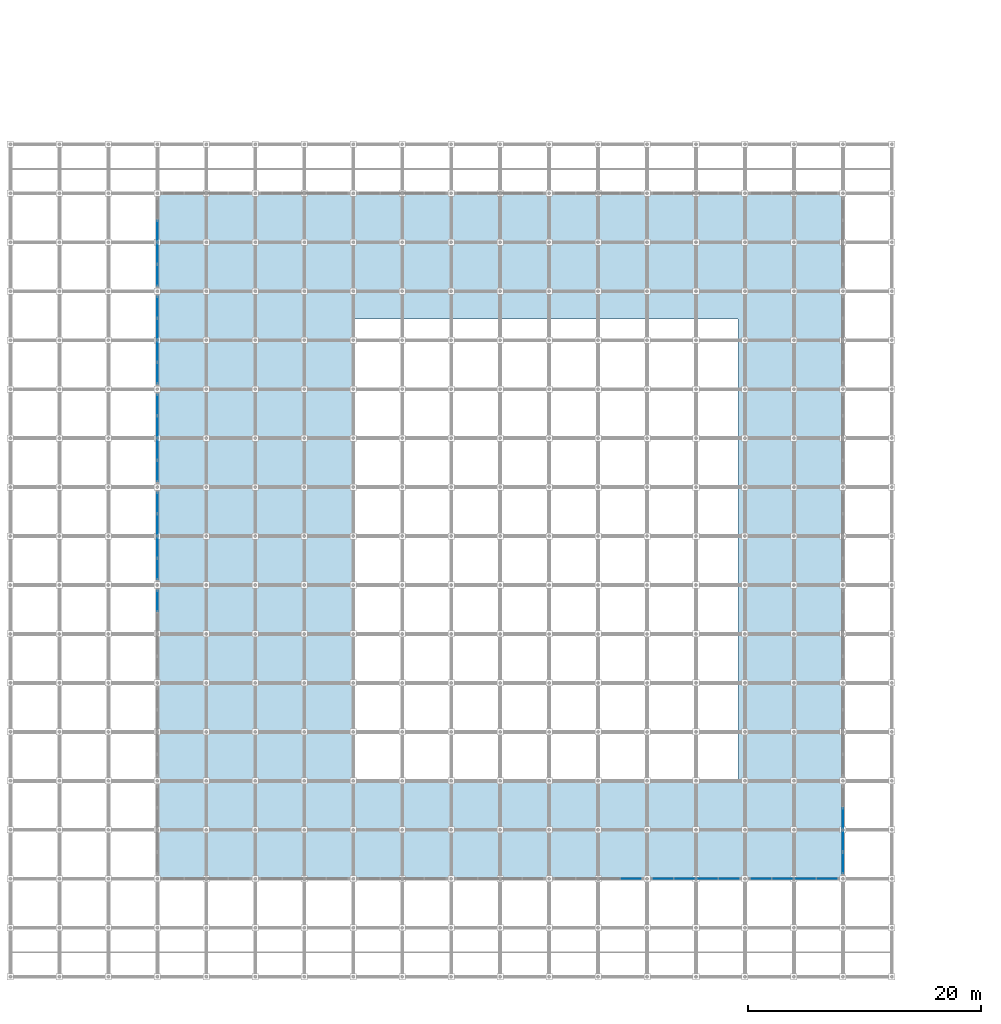
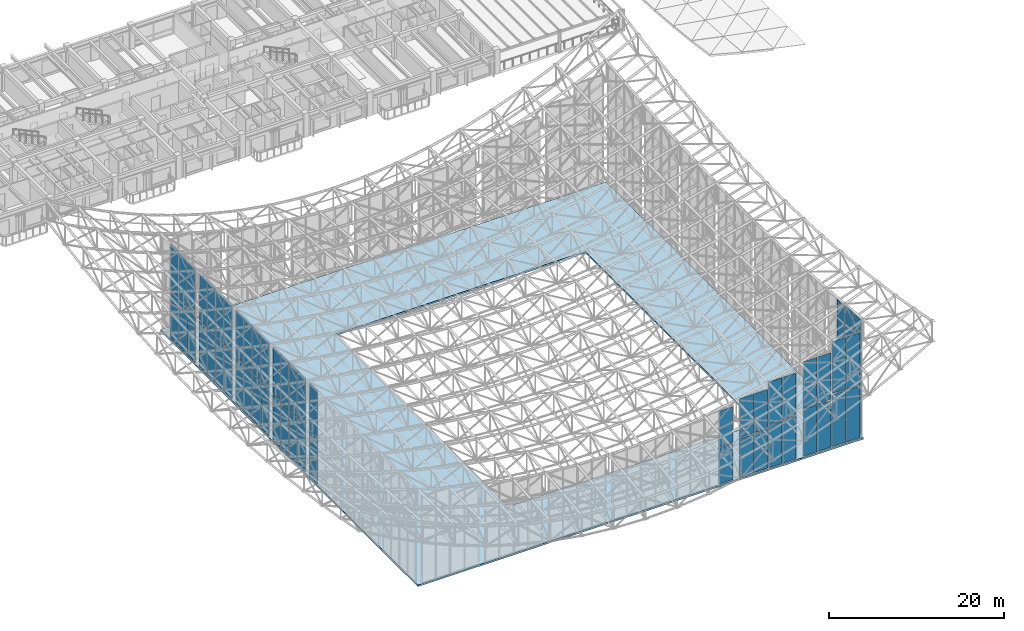
# One storey, part 60 of 93: 56 plates, 1 slab, 16 elements without a shape of their own.
"""IFC4 building model written with IfcOpenShell, lengths in metres."""

from ifc_helpers import new_model, si_unit, direction, frame, origin, origin_2d, place, context, subcontext, project, spatial, polyline, rectangle, outline, extrude, material, layer, layer_set, type_object, element, aggregate, save


model = new_model("IFC4")

# Units and contexts
model_context = context("Model", 3, precision=1e-05, world=origin(), true_north=direction((0.0, 1.0)))
body_context = subcontext(model_context, "Body", "Model", "MODEL_VIEW")
ifc_project = project(units=[si_unit("LENGTHUNIT", "METRE"), si_unit("AREAUNIT", "SQUARE_METRE"), si_unit("VOLUMEUNIT", "CUBIC_METRE"), si_unit("PLANEANGLEUNIT", "RADIAN"), si_unit("MASSUNIT", "GRAM", prefix="KILO")], contexts=[model_context])

# Site, building, storey
site_placement = place(None, origin())
site = spatial("IfcSite", under=ifc_project, at=site_placement, CompositionType="ELEMENT")
building_placement = place(site_placement, origin())
building = spatial("IfcBuilding", under=site, at=building_placement, Name="Cumbredor Promenade Congress Hotel", CompositionType="ELEMENT")
storey_placement = place(building_placement, frame((0.0, 0.0, 21.840087890625)))
storey = spatial("IfcBuildingStorey", under=building, at=storey_placement, Name="L06", CompositionType="ELEMENT", Elevation=21.840087890625)

# Curtain wall, plates
ifc_material_1 = material(Name="Thermally broken anodized aluminium and low-E glass", Category="aluminium")
curtain_wall_type = type_object("IfcCurtainWallType", Name="Stepped Pavilion Clerestory Curtain Wall CW-06", PredefinedType="NOTDEFINED", material=ifc_material_1)
curtain_wall_1_placement = place(storey_placement, origin())
curtain_wall_1 = element("IfcCurtainWall", 1, at=curtain_wall_1_placement, inside=storey, type_object=curtain_wall_type, Name="Plenary Congress Hall S Glazed Clerestory 10", PredefinedType="NOTDEFINED")
ifc_material_2 = material(Name="Laminated low-E solar-control glass", Category="glass")
ifc_layer_1 = layer(ifc_material_2, 0.031982421875, Name="Laminated low-E solar-control glass", Category="glass")
ifc_layer_set_1 = layer_set([ifc_layer_1], Name="Laminated low-E solar-control glass")
plate_type = type_object("IfcPlateType", Name="Clerestory Glazed Vision Panel PNL-07", PredefinedType="CURTAIN_PANEL", material=ifc_layer_set_1)
plate_1_placement = place(storey_placement, frame((49.030029296875, 8.39990234375, 0.169921875), z_axis=(0.0, 0.0, 1.0), x_axis=(1.0, 0.0, 0.0)))
plate_1 = element("IfcPlate", 2, at=plate_1_placement, type_object=plate_type, Name="Plenary Congress Hall S Glazed Clerestory 10 Glazing Panel 2.1", PredefinedType="CURTAIN_PANEL", context=body_context, shape_type="SweptSolid", body=[
    extrude(rectangle(XDim=1.77490234375, YDim=0.031982421875, at=origin_2d()), origin(), (0.0, 0.0, 1.0), 5.0),
])
plate_2_placement = place(storey_placement, frame((49.030029296875, 8.39990234375, 5.35009765625), z_axis=(0.0, 0.0, 1.0), x_axis=(1.0, 0.0, 0.0)))
plate_2 = element("IfcPlate", 3, at=plate_2_placement, type_object=plate_type, Name="Plenary Congress Hall S Glazed Clerestory 10 Glazing Panel 2.2", PredefinedType="CURTAIN_PANEL", context=body_context, shape_type="SweptSolid", body=[
    extrude(rectangle(XDim=1.77490234375, YDim=0.031982421875, at=origin_2d()), origin(), (0.0, 0.0, 1.0), 4.989990234375),
])
aggregate(curtain_wall_1, [plate_1, plate_2])

curtain_wall_2_placement = place(storey_placement, origin())
curtain_wall_2 = element("IfcCurtainWall", 4, at=curtain_wall_2_placement, inside=storey, type_object=curtain_wall_type, Name="Plenary Congress Hall S Glazed Clerestory 11", PredefinedType="NOTDEFINED")
plate_3_placement = place(storey_placement, frame((51.77001953125, 8.39990234375, 0.169921875), z_axis=(0.0, 0.0, 1.0), x_axis=(1.0, 0.0, 0.0)))
plate_3 = element("IfcPlate", 5, at=plate_3_placement, type_object=plate_type, Name="Plenary Congress Hall S Glazed Clerestory 11 Glazing Panel 1.1", PredefinedType="CURTAIN_PANEL", context=body_context, shape_type="SweptSolid", body=[
    extrude(rectangle(XDim=1.77490234375, YDim=0.031982421875, at=origin_2d()), origin(), (0.0, 0.0, 1.0), 5.3798828125),
])
plate_4_placement = place(storey_placement, frame((51.77001953125, 8.39990234375, 5.72998046875), z_axis=(0.0, 0.0, 1.0), x_axis=(1.0, 0.0, 0.0)))
plate_4 = element("IfcPlate", 6, at=plate_4_placement, type_object=plate_type, Name="Plenary Congress Hall S Glazed Clerestory 11 Glazing Panel 1.2", PredefinedType="CURTAIN_PANEL", context=body_context, shape_type="SweptSolid", body=[
    extrude(rectangle(XDim=1.77490234375, YDim=0.031982421875, at=origin_2d()), origin(), (0.0, 0.0, 1.0), 5.389892578125),
])
plate_5_placement = place(storey_placement, frame((53.6298828125, 8.39990234375, 0.169921875), z_axis=(0.0, 0.0, 1.0), x_axis=(1.0, 0.0, 0.0)))
plate_5 = element("IfcPlate", 7, at=plate_5_placement, type_object=plate_type, Name="Plenary Congress Hall S Glazed Clerestory 11 Glazing Panel 2.1", PredefinedType="CURTAIN_PANEL", context=body_context, shape_type="SweptSolid", body=[
    extrude(rectangle(XDim=1.77490234375, YDim=0.031982421875, at=origin_2d()), origin(), (0.0, 0.0, 1.0), 5.3798828125),
])
plate_6_placement = place(storey_placement, frame((53.6298828125, 8.39990234375, 5.72998046875), z_axis=(0.0, 0.0, 1.0), x_axis=(1.0, 0.0, 0.0)))
plate_6 = element("IfcPlate", 8, at=plate_6_placement, type_object=plate_type, Name="Plenary Congress Hall S Glazed Clerestory 11 Glazing Panel 2.2", PredefinedType="CURTAIN_PANEL", context=body_context, shape_type="SweptSolid", body=[
    extrude(rectangle(XDim=1.77490234375, YDim=0.031982421875, at=origin_2d()), origin(), (0.0, 0.0, 1.0), 5.389892578125),
])
aggregate(curtain_wall_2, [plate_3, plate_4, plate_5, plate_6])

curtain_wall_3_placement = place(storey_placement, origin())
curtain_wall_3 = element("IfcCurtainWall", 9, at=curtain_wall_3_placement, inside=storey, type_object=curtain_wall_type, Name="Plenary Congress Hall S Glazed Clerestory 12", PredefinedType="NOTDEFINED")
plate_7_placement = place(storey_placement, frame((55.570068359375, 8.39990234375, 0.169921875), z_axis=(0.0, 0.0, 1.0), x_axis=(1.0, 0.0, 0.0)))
plate_7 = element("IfcPlate", 10, at=plate_7_placement, type_object=plate_type, Name="Plenary Congress Hall S Glazed Clerestory 12 Glazing Panel 1.1", PredefinedType="CURTAIN_PANEL", context=body_context, shape_type="SweptSolid", body=[
    extrude(rectangle(XDim=1.77490234375, YDim=0.031982421875, at=origin_2d()), origin(), (0.0, 0.0, 1.0), 5.8798828125),
])
plate_8_placement = place(storey_placement, frame((55.570068359375, 8.39990234375, 6.22998046875), z_axis=(0.0, 0.0, 1.0), x_axis=(1.0, 0.0, 0.0)))
plate_8 = element("IfcPlate", 11, at=plate_8_placement, type_object=plate_type, Name="Plenary Congress Hall S Glazed Clerestory 12 Glazing Panel 1.2", PredefinedType="CURTAIN_PANEL", context=body_context, shape_type="SweptSolid", body=[
    extrude(rectangle(XDim=1.77490234375, YDim=0.031982421875, at=origin_2d()), origin(), (0.0, 0.0, 1.0), 5.889892578125),
])
plate_9_placement = place(storey_placement, frame((57.429931640625, 8.39990234375, 0.169921875), z_axis=(0.0, 0.0, 1.0), x_axis=(1.0, 0.0, 0.0)))
plate_9 = element("IfcPlate", 12, at=plate_9_placement, type_object=plate_type, Name="Plenary Congress Hall S Glazed Clerestory 12 Glazing Panel 2.1", PredefinedType="CURTAIN_PANEL", context=body_context, shape_type="SweptSolid", body=[
    extrude(rectangle(XDim=1.77490234375, YDim=0.031982421875, at=origin_2d()), origin(), (0.0, 0.0, 1.0), 5.8798828125),
])
plate_10_placement = place(storey_placement, frame((57.429931640625, 8.39990234375, 6.22998046875), z_axis=(0.0, 0.0, 1.0), x_axis=(1.0, 0.0, 0.0)))
plate_10 = element("IfcPlate", 13, at=plate_10_placement, type_object=plate_type, Name="Plenary Congress Hall S Glazed Clerestory 12 Glazing Panel 2.2", PredefinedType="CURTAIN_PANEL", context=body_context, shape_type="SweptSolid", body=[
    extrude(rectangle(XDim=1.77490234375, YDim=0.031982421875, at=origin_2d()), origin(), (0.0, 0.0, 1.0), 5.889892578125),
])
aggregate(curtain_wall_3, [plate_7, plate_8, plate_9, plate_10])

curtain_wall_4_placement = place(storey_placement, origin())
curtain_wall_4 = element("IfcCurtainWall", 14, at=curtain_wall_4_placement, inside=storey, type_object=curtain_wall_type, Name="Plenary Congress Hall S Glazed Clerestory 13", PredefinedType="NOTDEFINED")
plate_11_placement = place(storey_placement, frame((60.169921875, 8.39990234375, 0.169921875), z_axis=(0.0, 0.0, 1.0), x_axis=(1.0, 0.0, 0.0)))
plate_11 = element("IfcPlate", 15, at=plate_11_placement, type_object=plate_type, Name="Plenary Congress Hall S Glazed Clerestory 13 Glazing Panel 1.1", PredefinedType="CURTAIN_PANEL", context=body_context, shape_type="SweptSolid", body=[
    extrude(rectangle(XDim=1.77490234375, YDim=0.031982421875, at=origin_2d()), origin(), (0.0, 0.0, 1.0), 6.5),
])
plate_12_placement = place(storey_placement, frame((60.169921875, 8.39990234375, 6.849853515625), z_axis=(0.0, 0.0, 1.0), x_axis=(1.0, 0.0, 0.0)))
plate_12 = element("IfcPlate", 16, at=plate_12_placement, type_object=plate_type, Name="Plenary Congress Hall S Glazed Clerestory 13 Glazing Panel 1.2", PredefinedType="CURTAIN_PANEL", context=body_context, shape_type="SweptSolid", body=[
    extrude(rectangle(XDim=1.77490234375, YDim=0.031982421875, at=origin_2d()), origin(), (0.0, 0.0, 1.0), 6.5),
])
plate_13_placement = place(storey_placement, frame((62.030029296875, 8.39990234375, 0.169921875), z_axis=(0.0, 0.0, 1.0), x_axis=(1.0, 0.0, 0.0)))
plate_13 = element("IfcPlate", 17, at=plate_13_placement, type_object=plate_type, Name="Plenary Congress Hall S Glazed Clerestory 13 Glazing Panel 2.1", PredefinedType="CURTAIN_PANEL", context=body_context, shape_type="SweptSolid", body=[
    extrude(rectangle(XDim=1.77490234375, YDim=0.031982421875, at=origin_2d()), origin(), (0.0, 0.0, 1.0), 6.5),
])
plate_14_placement = place(storey_placement, frame((62.030029296875, 8.39990234375, 6.849853515625), z_axis=(0.0, 0.0, 1.0), x_axis=(1.0, 0.0, 0.0)))
plate_14 = element("IfcPlate", 18, at=plate_14_placement, type_object=plate_type, Name="Plenary Congress Hall S Glazed Clerestory 13 Glazing Panel 2.2", PredefinedType="CURTAIN_PANEL", context=body_context, shape_type="SweptSolid", body=[
    extrude(rectangle(XDim=1.77490234375, YDim=0.031982421875, at=origin_2d()), origin(), (0.0, 0.0, 1.0), 6.5),
])
aggregate(curtain_wall_4, [plate_11, plate_12, plate_13, plate_14])

curtain_wall_5_placement = place(storey_placement, origin())
curtain_wall_5 = element("IfcCurtainWall", 19, at=curtain_wall_5_placement, inside=storey, type_object=curtain_wall_type, Name="Plenary Congress Hall S Glazed Clerestory 14", PredefinedType="NOTDEFINED")
plate_15_placement = place(storey_placement, frame((63.969970703125, 8.39990234375, 0.169921875), z_axis=(0.0, 0.0, 1.0), x_axis=(1.0, 0.0, 0.0)))
plate_15 = element("IfcPlate", 20, at=plate_15_placement, type_object=plate_type, Name="Plenary Congress Hall S Glazed Clerestory 14 Glazing Panel 1.1", PredefinedType="CURTAIN_PANEL", context=body_context, shape_type="SweptSolid", body=[
    extrude(rectangle(XDim=1.77490234375, YDim=0.031982421875, at=origin_2d()), origin(), (0.0, 0.0, 1.0), 7.219970703125),
])
plate_16_placement = place(storey_placement, frame((63.969970703125, 8.39990234375, 7.56982421875), z_axis=(0.0, 0.0, 1.0), x_axis=(1.0, 0.0, 0.0)))
plate_16 = element("IfcPlate", 21, at=plate_16_placement, type_object=plate_type, Name="Plenary Congress Hall S Glazed Clerestory 14 Glazing Panel 1.2", PredefinedType="CURTAIN_PANEL", context=body_context, shape_type="SweptSolid", body=[
    extrude(rectangle(XDim=1.77490234375, YDim=0.031982421875, at=origin_2d()), origin(), (0.0, 0.0, 1.0), 7.22998046875),
])
plate_17_placement = place(storey_placement, frame((65.830078125, 8.39990234375, 0.169921875), z_axis=(0.0, 0.0, 1.0), x_axis=(1.0, 0.0, 0.0)))
plate_17 = element("IfcPlate", 22, at=plate_17_placement, type_object=plate_type, Name="Plenary Congress Hall S Glazed Clerestory 14 Glazing Panel 2.1", PredefinedType="CURTAIN_PANEL", context=body_context, shape_type="SweptSolid", body=[
    extrude(rectangle(XDim=1.77490234375, YDim=0.031982421875, at=origin_2d()), origin(), (0.0, 0.0, 1.0), 7.219970703125),
])
plate_18_placement = place(storey_placement, frame((65.830078125, 8.39990234375, 7.56982421875), z_axis=(0.0, 0.0, 1.0), x_axis=(1.0, 0.0, 0.0)))
plate_18 = element("IfcPlate", 23, at=plate_18_placement, type_object=plate_type, Name="Plenary Congress Hall S Glazed Clerestory 14 Glazing Panel 2.2", PredefinedType="CURTAIN_PANEL", context=body_context, shape_type="SweptSolid", body=[
    extrude(rectangle(XDim=1.77490234375, YDim=0.031982421875, at=origin_2d()), origin(), (0.0, 0.0, 1.0), 7.22998046875),
])
aggregate(curtain_wall_5, [plate_15, plate_16, plate_17, plate_18])

curtain_wall_6_placement = place(storey_placement, origin())
curtain_wall_6 = element("IfcCurtainWall", 24, at=curtain_wall_6_placement, inside=storey, type_object=curtain_wall_type, Name="Plenary Congress Hall W Glazed Clerestory 6", PredefinedType="NOTDEFINED")
plate_19_placement = place(storey_placement, frame((8.39990234375, 32.22998046875, 0.169921875), z_axis=(0.0, 0.0, 1.0), x_axis=(0.0, 1.0, 0.0)))
plate_19 = element("IfcPlate", 25, at=plate_19_placement, type_object=plate_type, Name="Plenary Congress Hall W Glazed Clerestory 6 Glazing Panel 2.1", PredefinedType="CURTAIN_PANEL", context=body_context, shape_type="SweptSolid", body=[
    extrude(rectangle(XDim=1.77490234375, YDim=0.031982421875, at=origin_2d()), origin(), (0.0, 0.0, 1.0), 6.419921875),
])
plate_20_placement = place(storey_placement, frame((8.39990234375, 32.22998046875, 6.77001953125), z_axis=(0.0, 0.0, 1.0), x_axis=(0.0, 1.0, 0.0)))
plate_20 = element("IfcPlate", 26, at=plate_20_placement, type_object=plate_type, Name="Plenary Congress Hall W Glazed Clerestory 6 Glazing Panel 2.2", PredefinedType="CURTAIN_PANEL", context=body_context, shape_type="SweptSolid", body=[
    extrude(rectangle(XDim=1.77490234375, YDim=0.031982421875, at=origin_2d()), origin(), (0.0, 0.0, 1.0), 6.409912109375),
])
aggregate(curtain_wall_6, [plate_19, plate_20])

curtain_wall_7_placement = place(storey_placement, origin())
curtain_wall_7 = element("IfcCurtainWall", 27, at=curtain_wall_7_placement, inside=storey, type_object=curtain_wall_type, Name="Plenary Congress Hall W Glazed Clerestory 7", PredefinedType="NOTDEFINED")
plate_21_placement = place(storey_placement, frame((8.39990234375, 34.969970703125, 0.169921875), z_axis=(0.0, 0.0, 1.0), x_axis=(0.0, 1.0, 0.0)))
plate_21 = element("IfcPlate", 28, at=plate_21_placement, type_object=plate_type, Name="Plenary Congress Hall W Glazed Clerestory 7 Glazing Panel 1.1", PredefinedType="CURTAIN_PANEL", context=body_context, shape_type="SweptSolid", body=[
    extrude(rectangle(XDim=1.77490234375, YDim=0.031982421875, at=origin_2d()), origin(), (0.0, 0.0, 1.0), 6.419921875),
])
plate_22_placement = place(storey_placement, frame((8.39990234375, 34.969970703125, 6.77001953125), z_axis=(0.0, 0.0, 1.0), x_axis=(0.0, 1.0, 0.0)))
plate_22 = element("IfcPlate", 29, at=plate_22_placement, type_object=plate_type, Name="Plenary Congress Hall W Glazed Clerestory 7 Glazing Panel 1.2", PredefinedType="CURTAIN_PANEL", context=body_context, shape_type="SweptSolid", body=[
    extrude(rectangle(XDim=1.77490234375, YDim=0.031982421875, at=origin_2d()), origin(), (0.0, 0.0, 1.0), 6.409912109375),
])
plate_23_placement = place(storey_placement, frame((8.39990234375, 36.830078125, 0.169921875), z_axis=(0.0, 0.0, 1.0), x_axis=(0.0, 1.0, 0.0)))
plate_23 = element("IfcPlate", 30, at=plate_23_placement, type_object=plate_type, Name="Plenary Congress Hall W Glazed Clerestory 7 Glazing Panel 2.1", PredefinedType="CURTAIN_PANEL", context=body_context, shape_type="SweptSolid", body=[
    extrude(rectangle(XDim=1.77490234375, YDim=0.031982421875, at=origin_2d()), origin(), (0.0, 0.0, 1.0), 6.419921875),
])
plate_24_placement = place(storey_placement, frame((8.39990234375, 36.830078125, 6.77001953125), z_axis=(0.0, 0.0, 1.0), x_axis=(0.0, 1.0, 0.0)))
plate_24 = element("IfcPlate", 31, at=plate_24_placement, type_object=plate_type, Name="Plenary Congress Hall W Glazed Clerestory 7 Glazing Panel 2.2", PredefinedType="CURTAIN_PANEL", context=body_context, shape_type="SweptSolid", body=[
    extrude(rectangle(XDim=1.77490234375, YDim=0.031982421875, at=origin_2d()), origin(), (0.0, 0.0, 1.0), 6.409912109375),
])
aggregate(curtain_wall_7, [plate_21, plate_22, plate_23, plate_24])

curtain_wall_8_placement = place(storey_placement, origin())
curtain_wall_8 = element("IfcCurtainWall", 32, at=curtain_wall_8_placement, inside=storey, type_object=curtain_wall_type, Name="Plenary Congress Hall W Glazed Clerestory 8", PredefinedType="NOTDEFINED")
plate_25_placement = place(storey_placement, frame((8.39990234375, 38.77001953125, 0.169921875), z_axis=(0.0, 0.0, 1.0), x_axis=(0.0, 1.0, 0.0)))
plate_25 = element("IfcPlate", 33, at=plate_25_placement, type_object=plate_type, Name="Plenary Congress Hall W Glazed Clerestory 8 Glazing Panel 1.1", PredefinedType="CURTAIN_PANEL", context=body_context, shape_type="SweptSolid", body=[
    extrude(rectangle(XDim=1.77490234375, YDim=0.031982421875, at=origin_2d()), origin(), (0.0, 0.0, 1.0), 6.419921875),
])
plate_26_placement = place(storey_placement, frame((8.39990234375, 38.77001953125, 6.77001953125), z_axis=(0.0, 0.0, 1.0), x_axis=(0.0, 1.0, 0.0)))
plate_26 = element("IfcPlate", 34, at=plate_26_placement, type_object=plate_type, Name="Plenary Congress Hall W Glazed Clerestory 8 Glazing Panel 1.2", PredefinedType="CURTAIN_PANEL", context=body_context, shape_type="SweptSolid", body=[
    extrude(rectangle(XDim=1.77490234375, YDim=0.031982421875, at=origin_2d()), origin(), (0.0, 0.0, 1.0), 6.409912109375),
])
plate_27_placement = place(storey_placement, frame((8.39990234375, 40.6298828125, 0.169921875), z_axis=(0.0, 0.0, 1.0), x_axis=(0.0, 1.0, 0.0)))
plate_27 = element("IfcPlate", 35, at=plate_27_placement, type_object=plate_type, Name="Plenary Congress Hall W Glazed Clerestory 8 Glazing Panel 2.1", PredefinedType="CURTAIN_PANEL", context=body_context, shape_type="SweptSolid", body=[
    extrude(rectangle(XDim=1.77490234375, YDim=0.031982421875, at=origin_2d()), origin(), (0.0, 0.0, 1.0), 6.419921875),
])
plate_28_placement = place(storey_placement, frame((8.39990234375, 40.6298828125, 6.77001953125), z_axis=(0.0, 0.0, 1.0), x_axis=(0.0, 1.0, 0.0)))
plate_28 = element("IfcPlate", 36, at=plate_28_placement, type_object=plate_type, Name="Plenary Congress Hall W Glazed Clerestory 8 Glazing Panel 2.2", PredefinedType="CURTAIN_PANEL", context=body_context, shape_type="SweptSolid", body=[
    extrude(rectangle(XDim=1.77490234375, YDim=0.031982421875, at=origin_2d()), origin(), (0.0, 0.0, 1.0), 6.409912109375),
])
aggregate(curtain_wall_8, [plate_25, plate_26, plate_27, plate_28])

curtain_wall_9_placement = place(storey_placement, origin())
curtain_wall_9 = element("IfcCurtainWall", 37, at=curtain_wall_9_placement, inside=storey, type_object=curtain_wall_type, Name="Plenary Congress Hall W Glazed Clerestory 9", PredefinedType="NOTDEFINED")
plate_29_placement = place(storey_placement, frame((8.39990234375, 43.3701171875, 0.169921875), z_axis=(0.0, 0.0, 1.0), x_axis=(0.0, 1.0, 0.0)))
plate_29 = element("IfcPlate", 38, at=plate_29_placement, type_object=plate_type, Name="Plenary Congress Hall W Glazed Clerestory 9 Glazing Panel 1.1", PredefinedType="CURTAIN_PANEL", context=body_context, shape_type="SweptSolid", body=[
    extrude(rectangle(XDim=1.77490234375, YDim=0.031982421875, at=origin_2d()), origin(), (0.0, 0.0, 1.0), 6.419921875),
])
plate_30_placement = place(storey_placement, frame((8.39990234375, 43.3701171875, 6.77001953125), z_axis=(0.0, 0.0, 1.0), x_axis=(0.0, 1.0, 0.0)))
plate_30 = element("IfcPlate", 39, at=plate_30_placement, type_object=plate_type, Name="Plenary Congress Hall W Glazed Clerestory 9 Glazing Panel 1.2", PredefinedType="CURTAIN_PANEL", context=body_context, shape_type="SweptSolid", body=[
    extrude(rectangle(XDim=1.77490234375, YDim=0.031982421875, at=origin_2d()), origin(), (0.0, 0.0, 1.0), 6.419921875),
])
plate_31_placement = place(storey_placement, frame((8.39990234375, 45.22998046875, 0.169921875), z_axis=(0.0, 0.0, 1.0), x_axis=(0.0, 1.0, 0.0)))
plate_31 = element("IfcPlate", 40, at=plate_31_placement, type_object=plate_type, Name="Plenary Congress Hall W Glazed Clerestory 9 Glazing Panel 2.1", PredefinedType="CURTAIN_PANEL", context=body_context, shape_type="SweptSolid", body=[
    extrude(rectangle(XDim=1.77490234375, YDim=0.031982421875, at=origin_2d()), origin(), (0.0, 0.0, 1.0), 6.419921875),
])
plate_32_placement = place(storey_placement, frame((8.39990234375, 45.22998046875, 6.77001953125), z_axis=(0.0, 0.0, 1.0), x_axis=(0.0, 1.0, 0.0)))
plate_32 = element("IfcPlate", 41, at=plate_32_placement, type_object=plate_type, Name="Plenary Congress Hall W Glazed Clerestory 9 Glazing Panel 2.2", PredefinedType="CURTAIN_PANEL", context=body_context, shape_type="SweptSolid", body=[
    extrude(rectangle(XDim=1.77490234375, YDim=0.031982421875, at=origin_2d()), origin(), (0.0, 0.0, 1.0), 6.419921875),
])
aggregate(curtain_wall_9, [plate_29, plate_30, plate_31, plate_32])

curtain_wall_10_placement = place(storey_placement, origin())
curtain_wall_10 = element("IfcCurtainWall", 42, at=curtain_wall_10_placement, inside=storey, type_object=curtain_wall_type, Name="Plenary Congress Hall W Glazed Clerestory 10", PredefinedType="NOTDEFINED")
plate_33_placement = place(storey_placement, frame((8.39990234375, 47.169921875, 0.169921875), z_axis=(0.0, 0.0, 1.0), x_axis=(0.0, 1.0, 0.0)))
plate_33 = element("IfcPlate", 43, at=plate_33_placement, type_object=plate_type, Name="Plenary Congress Hall W Glazed Clerestory 10 Glazing Panel 1.1", PredefinedType="CURTAIN_PANEL", context=body_context, shape_type="SweptSolid", body=[
    extrude(rectangle(XDim=1.77490234375, YDim=0.031982421875, at=origin_2d()), origin(), (0.0, 0.0, 1.0), 6.429931640625),
])
plate_34_placement = place(storey_placement, frame((8.39990234375, 47.169921875, 6.780029296875), z_axis=(0.0, 0.0, 1.0), x_axis=(0.0, 1.0, 0.0)))
plate_34 = element("IfcPlate", 44, at=plate_34_placement, type_object=plate_type, Name="Plenary Congress Hall W Glazed Clerestory 10 Glazing Panel 1.2", PredefinedType="CURTAIN_PANEL", context=body_context, shape_type="SweptSolid", body=[
    extrude(rectangle(XDim=1.77490234375, YDim=0.031982421875, at=origin_2d()), origin(), (0.0, 0.0, 1.0), 6.419921875),
])
plate_35_placement = place(storey_placement, frame((8.39990234375, 49.030029296875, 0.169921875), z_axis=(0.0, 0.0, 1.0), x_axis=(0.0, 1.0, 0.0)))
plate_35 = element("IfcPlate", 45, at=plate_35_placement, type_object=plate_type, Name="Plenary Congress Hall W Glazed Clerestory 10 Glazing Panel 2.1", PredefinedType="CURTAIN_PANEL", context=body_context, shape_type="SweptSolid", body=[
    extrude(rectangle(XDim=1.77490234375, YDim=0.031982421875, at=origin_2d()), origin(), (0.0, 0.0, 1.0), 6.429931640625),
])
plate_36_placement = place(storey_placement, frame((8.39990234375, 49.030029296875, 6.780029296875), z_axis=(0.0, 0.0, 1.0), x_axis=(0.0, 1.0, 0.0)))
plate_36 = element("IfcPlate", 46, at=plate_36_placement, type_object=plate_type, Name="Plenary Congress Hall W Glazed Clerestory 10 Glazing Panel 2.2", PredefinedType="CURTAIN_PANEL", context=body_context, shape_type="SweptSolid", body=[
    extrude(rectangle(XDim=1.77490234375, YDim=0.031982421875, at=origin_2d()), origin(), (0.0, 0.0, 1.0), 6.419921875),
])
aggregate(curtain_wall_10, [plate_33, plate_34, plate_35, plate_36])

curtain_wall_11_placement = place(storey_placement, origin())
curtain_wall_11 = element("IfcCurtainWall", 47, at=curtain_wall_11_placement, inside=storey, type_object=curtain_wall_type, Name="Plenary Congress Hall W Glazed Clerestory 11", PredefinedType="NOTDEFINED")
plate_37_placement = place(storey_placement, frame((8.39990234375, 51.77001953125, 0.169921875), z_axis=(0.0, 0.0, 1.0), x_axis=(0.0, 1.0, 0.0)))
plate_37 = element("IfcPlate", 48, at=plate_37_placement, type_object=plate_type, Name="Plenary Congress Hall W Glazed Clerestory 11 Glazing Panel 1.1", PredefinedType="CURTAIN_PANEL", context=body_context, shape_type="SweptSolid", body=[
    extrude(rectangle(XDim=1.77490234375, YDim=0.031982421875, at=origin_2d()), origin(), (0.0, 0.0, 1.0), 6.43994140625),
])
plate_38_placement = place(storey_placement, frame((8.39990234375, 51.77001953125, 6.7900390625), z_axis=(0.0, 0.0, 1.0), x_axis=(0.0, 1.0, 0.0)))
plate_38 = element("IfcPlate", 49, at=plate_38_placement, type_object=plate_type, Name="Plenary Congress Hall W Glazed Clerestory 11 Glazing Panel 1.2", PredefinedType="CURTAIN_PANEL", context=body_context, shape_type="SweptSolid", body=[
    extrude(rectangle(XDim=1.77490234375, YDim=0.031982421875, at=origin_2d()), origin(), (0.0, 0.0, 1.0), 6.43994140625),
])
plate_39_placement = place(storey_placement, frame((8.39990234375, 53.6298828125, 0.169921875), z_axis=(0.0, 0.0, 1.0), x_axis=(0.0, 1.0, 0.0)))
plate_39 = element("IfcPlate", 50, at=plate_39_placement, type_object=plate_type, Name="Plenary Congress Hall W Glazed Clerestory 11 Glazing Panel 2.1", PredefinedType="CURTAIN_PANEL", context=body_context, shape_type="SweptSolid", body=[
    extrude(rectangle(XDim=1.77490234375, YDim=0.031982421875, at=origin_2d()), origin(), (0.0, 0.0, 1.0), 6.43994140625),
])
plate_40_placement = place(storey_placement, frame((8.39990234375, 53.6298828125, 6.7900390625), z_axis=(0.0, 0.0, 1.0), x_axis=(0.0, 1.0, 0.0)))
plate_40 = element("IfcPlate", 51, at=plate_40_placement, type_object=plate_type, Name="Plenary Congress Hall W Glazed Clerestory 11 Glazing Panel 2.2", PredefinedType="CURTAIN_PANEL", context=body_context, shape_type="SweptSolid", body=[
    extrude(rectangle(XDim=1.77490234375, YDim=0.031982421875, at=origin_2d()), origin(), (0.0, 0.0, 1.0), 6.43994140625),
])
aggregate(curtain_wall_11, [plate_37, plate_38, plate_39, plate_40])

curtain_wall_12_placement = place(storey_placement, origin())
curtain_wall_12 = element("IfcCurtainWall", 52, at=curtain_wall_12_placement, inside=storey, type_object=curtain_wall_type, Name="Plenary Congress Hall W Glazed Clerestory 12", PredefinedType="NOTDEFINED")
plate_41_placement = place(storey_placement, frame((8.39990234375, 55.570068359375, 0.169921875), z_axis=(0.0, 0.0, 1.0), x_axis=(0.0, 1.0, 0.0)))
plate_41 = element("IfcPlate", 53, at=plate_41_placement, type_object=plate_type, Name="Plenary Congress Hall W Glazed Clerestory 12 Glazing Panel 1.1", PredefinedType="CURTAIN_PANEL", context=body_context, shape_type="SweptSolid", body=[
    extrude(rectangle(XDim=1.77490234375, YDim=0.031982421875, at=origin_2d()), origin(), (0.0, 0.0, 1.0), 6.449951171875),
])
plate_42_placement = place(storey_placement, frame((8.39990234375, 55.570068359375, 6.800048828125), z_axis=(0.0, 0.0, 1.0), x_axis=(0.0, 1.0, 0.0)))
plate_42 = element("IfcPlate", 54, at=plate_42_placement, type_object=plate_type, Name="Plenary Congress Hall W Glazed Clerestory 12 Glazing Panel 1.2", PredefinedType="CURTAIN_PANEL", context=body_context, shape_type="SweptSolid", body=[
    extrude(rectangle(XDim=1.77490234375, YDim=0.031982421875, at=origin_2d()), origin(), (0.0, 0.0, 1.0), 6.4599609375),
])
plate_43_placement = place(storey_placement, frame((8.39990234375, 57.429931640625, 0.169921875), z_axis=(0.0, 0.0, 1.0), x_axis=(0.0, 1.0, 0.0)))
plate_43 = element("IfcPlate", 55, at=plate_43_placement, type_object=plate_type, Name="Plenary Congress Hall W Glazed Clerestory 12 Glazing Panel 2.1", PredefinedType="CURTAIN_PANEL", context=body_context, shape_type="SweptSolid", body=[
    extrude(rectangle(XDim=1.77490234375, YDim=0.031982421875, at=origin_2d()), origin(), (0.0, 0.0, 1.0), 6.449951171875),
])
plate_44_placement = place(storey_placement, frame((8.39990234375, 57.429931640625, 6.800048828125), z_axis=(0.0, 0.0, 1.0), x_axis=(0.0, 1.0, 0.0)))
plate_44 = element("IfcPlate", 56, at=plate_44_placement, type_object=plate_type, Name="Plenary Congress Hall W Glazed Clerestory 12 Glazing Panel 2.2", PredefinedType="CURTAIN_PANEL", context=body_context, shape_type="SweptSolid", body=[
    extrude(rectangle(XDim=1.77490234375, YDim=0.031982421875, at=origin_2d()), origin(), (0.0, 0.0, 1.0), 6.4599609375),
])
aggregate(curtain_wall_12, [plate_41, plate_42, plate_43, plate_44])

curtain_wall_13_placement = place(storey_placement, origin())
curtain_wall_13 = element("IfcCurtainWall", 57, at=curtain_wall_13_placement, inside=storey, type_object=curtain_wall_type, Name="Plenary Congress Hall W Glazed Clerestory 13", PredefinedType="NOTDEFINED")
plate_45_placement = place(storey_placement, frame((8.39990234375, 60.169921875, 0.169921875), z_axis=(0.0, 0.0, 1.0), x_axis=(0.0, 1.0, 0.0)))
plate_45 = element("IfcPlate", 58, at=plate_45_placement, type_object=plate_type, Name="Plenary Congress Hall W Glazed Clerestory 13 Glazing Panel 1.1", PredefinedType="CURTAIN_PANEL", context=body_context, shape_type="SweptSolid", body=[
    extrude(rectangle(XDim=1.77490234375, YDim=0.031982421875, at=origin_2d()), origin(), (0.0, 0.0, 1.0), 6.469970703125),
])
plate_46_placement = place(storey_placement, frame((8.39990234375, 60.169921875, 6.81982421875), z_axis=(0.0, 0.0, 1.0), x_axis=(0.0, 1.0, 0.0)))
plate_46 = element("IfcPlate", 59, at=plate_46_placement, type_object=plate_type, Name="Plenary Congress Hall W Glazed Clerestory 13 Glazing Panel 1.2", PredefinedType="CURTAIN_PANEL", context=body_context, shape_type="SweptSolid", body=[
    extrude(rectangle(XDim=1.77490234375, YDim=0.031982421875, at=origin_2d()), origin(), (0.0, 0.0, 1.0), 6.47998046875),
])
plate_47_placement = place(storey_placement, frame((8.39990234375, 62.030029296875, 0.169921875), z_axis=(0.0, 0.0, 1.0), x_axis=(0.0, 1.0, 0.0)))
plate_47 = element("IfcPlate", 60, at=plate_47_placement, type_object=plate_type, Name="Plenary Congress Hall W Glazed Clerestory 13 Glazing Panel 2.1", PredefinedType="CURTAIN_PANEL", context=body_context, shape_type="SweptSolid", body=[
    extrude(rectangle(XDim=1.77490234375, YDim=0.031982421875, at=origin_2d()), origin(), (0.0, 0.0, 1.0), 6.469970703125),
])
plate_48_placement = place(storey_placement, frame((8.39990234375, 62.030029296875, 6.81982421875), z_axis=(0.0, 0.0, 1.0), x_axis=(0.0, 1.0, 0.0)))
plate_48 = element("IfcPlate", 61, at=plate_48_placement, type_object=plate_type, Name="Plenary Congress Hall W Glazed Clerestory 13 Glazing Panel 2.2", PredefinedType="CURTAIN_PANEL", context=body_context, shape_type="SweptSolid", body=[
    extrude(rectangle(XDim=1.77490234375, YDim=0.031982421875, at=origin_2d()), origin(), (0.0, 0.0, 1.0), 6.47998046875),
])
aggregate(curtain_wall_13, [plate_45, plate_46, plate_47, plate_48])

curtain_wall_14_placement = place(storey_placement, origin())
curtain_wall_14 = element("IfcCurtainWall", 62, at=curtain_wall_14_placement, inside=storey, type_object=curtain_wall_type, Name="Plenary Congress Hall W Glazed Clerestory 14", PredefinedType="NOTDEFINED")
plate_49_placement = place(storey_placement, frame((8.39990234375, 63.969970703125, 0.169921875), z_axis=(0.0, 0.0, 1.0), x_axis=(0.0, 1.0, 0.0)))
plate_49 = element("IfcPlate", 63, at=plate_49_placement, type_object=plate_type, Name="Plenary Congress Hall W Glazed Clerestory 14 Glazing Panel 1.1", PredefinedType="CURTAIN_PANEL", context=body_context, shape_type="SweptSolid", body=[
    extrude(rectangle(XDim=1.77490234375, YDim=0.031982421875, at=origin_2d()), origin(), (0.0, 0.0, 1.0), 6.5),
])
plate_50_placement = place(storey_placement, frame((8.39990234375, 63.969970703125, 6.849853515625), z_axis=(0.0, 0.0, 1.0), x_axis=(0.0, 1.0, 0.0)))
plate_50 = element("IfcPlate", 64, at=plate_50_placement, type_object=plate_type, Name="Plenary Congress Hall W Glazed Clerestory 14 Glazing Panel 1.2", PredefinedType="CURTAIN_PANEL", context=body_context, shape_type="SweptSolid", body=[
    extrude(rectangle(XDim=1.77490234375, YDim=0.031982421875, at=origin_2d()), origin(), (0.0, 0.0, 1.0), 6.5),
])
aggregate(curtain_wall_14, [plate_49, plate_50])

curtain_wall_15_placement = place(storey_placement, origin())
curtain_wall_15 = element("IfcCurtainWall", 65, at=curtain_wall_15_placement, inside=storey, type_object=curtain_wall_type, Name="Plenary Congress Hall E Glazed Clerestory 1", PredefinedType="NOTDEFINED")
plate_51_placement = place(storey_placement, frame((67.199951171875, 9.77001953125, 0.169921875), z_axis=(0.0, 0.0, 1.0), x_axis=(0.0, 1.0, 0.0)))
plate_51 = element("IfcPlate", 66, at=plate_51_placement, type_object=plate_type, Name="Plenary Congress Hall E Glazed Clerestory 1 Glazing Panel 1.1", PredefinedType="CURTAIN_PANEL", context=body_context, shape_type="SweptSolid", body=[
    extrude(rectangle(XDim=1.77490234375, YDim=0.031982421875, at=origin_2d()), origin(), (0.0, 0.0, 1.0), 7.860107421875),
])
plate_52_placement = place(storey_placement, frame((67.199951171875, 9.77001953125, 8.2099609375), z_axis=(0.0, 0.0, 1.0), x_axis=(0.0, 1.0, 0.0)))
plate_52 = element("IfcPlate", 67, at=plate_52_placement, type_object=plate_type, Name="Plenary Congress Hall E Glazed Clerestory 1 Glazing Panel 1.2", PredefinedType="CURTAIN_PANEL", context=body_context, shape_type="SweptSolid", body=[
    extrude(rectangle(XDim=1.77490234375, YDim=0.031982421875, at=origin_2d()), origin(), (0.0, 0.0, 1.0), 7.860107421875),
])
plate_53_placement = place(storey_placement, frame((67.199951171875, 11.6298828125, 0.169921875), z_axis=(0.0, 0.0, 1.0), x_axis=(0.0, 1.0, 0.0)))
plate_53 = element("IfcPlate", 68, at=plate_53_placement, type_object=plate_type, Name="Plenary Congress Hall E Glazed Clerestory 1 Glazing Panel 2.1", PredefinedType="CURTAIN_PANEL", context=body_context, shape_type="SweptSolid", body=[
    extrude(rectangle(XDim=1.77490234375, YDim=0.031982421875, at=origin_2d()), origin(), (0.0, 0.0, 1.0), 7.860107421875),
])
plate_54_placement = place(storey_placement, frame((67.199951171875, 11.6298828125, 8.2099609375), z_axis=(0.0, 0.0, 1.0), x_axis=(0.0, 1.0, 0.0)))
plate_54 = element("IfcPlate", 69, at=plate_54_placement, type_object=plate_type, Name="Plenary Congress Hall E Glazed Clerestory 1 Glazing Panel 2.2", PredefinedType="CURTAIN_PANEL", context=body_context, shape_type="SweptSolid", body=[
    extrude(rectangle(XDim=1.77490234375, YDim=0.031982421875, at=origin_2d()), origin(), (0.0, 0.0, 1.0), 7.860107421875),
])
aggregate(curtain_wall_15, [plate_51, plate_52, plate_53, plate_54])

curtain_wall_16_placement = place(storey_placement, origin())
curtain_wall_16 = element("IfcCurtainWall", 70, at=curtain_wall_16_placement, inside=storey, type_object=curtain_wall_type, Name="Plenary Congress Hall E Glazed Clerestory 2", PredefinedType="NOTDEFINED")
plate_55_placement = place(storey_placement, frame((67.199951171875, 13.570068359375, 0.169921875), z_axis=(0.0, 0.0, 1.0), x_axis=(0.0, 1.0, 0.0)))
plate_55 = element("IfcPlate", 71, at=plate_55_placement, type_object=plate_type, Name="Plenary Congress Hall E Glazed Clerestory 2 Glazing Panel 1.1", PredefinedType="CURTAIN_PANEL", context=body_context, shape_type="SweptSolid", body=[
    extrude(rectangle(XDim=1.77490234375, YDim=0.031982421875, at=origin_2d()), origin(), (0.0, 0.0, 1.0), 7.699951171875),
])
plate_56_placement = place(storey_placement, frame((67.199951171875, 13.570068359375, 8.050048828125), z_axis=(0.0, 0.0, 1.0), x_axis=(0.0, 1.0, 0.0)))
plate_56 = element("IfcPlate", 72, at=plate_56_placement, type_object=plate_type, Name="Plenary Congress Hall E Glazed Clerestory 2 Glazing Panel 1.2", PredefinedType="CURTAIN_PANEL", context=body_context, shape_type="SweptSolid", body=[
    extrude(rectangle(XDim=1.77490234375, YDim=0.031982421875, at=origin_2d()), origin(), (0.0, 0.0, 1.0), 7.68994140625),
])
aggregate(curtain_wall_16, [plate_55, plate_56])

# Slab
ifc_material_3 = material(Name="Concrete C40/50", Category="concrete")
ifc_layer_2 = layer(ifc_material_3, 0.235107421875, Name="Concrete C40/50", Category="concrete")
ifc_layer_set_2 = layer_set([ifc_layer_2], Name="Concrete C40/50")
slab_type = type_object("IfcSlabType", Name="Pavilion Structural Ceiling Slab 235mm", PredefinedType="ROOF", material=ifc_layer_set_2)
slab_placement = place(storey_placement, frame((0.0, 0.0, -0.235107421875)))
element("IfcSlab", 73, at=slab_placement, inside=storey, type_object=slab_type, Name="Plenary Congress Hall Top-Floor Structural Ceiling Slab", PredefinedType="ROOF", context=body_context, shape_type="SweptSolid", body=[
    extrude(outline(polyline([(8.39990234375, 8.39990234375), (67.199951171875, 8.39990234375), (67.199951171875, 67.199951171875), (8.39990234375, 67.199951171875), (8.39990234375, 8.39990234375)]), holes=[polyline([(25.199951171875, 16.800048828125), (58.199951171875, 16.800048828125), (58.199951171875, 56.39990234375), (25.199951171875, 56.39990234375), (25.199951171875, 16.800048828125)])]), origin(), (0.0, 0.0, 1.0), 0.235107421875),
])

save(model, "model.ifc")
